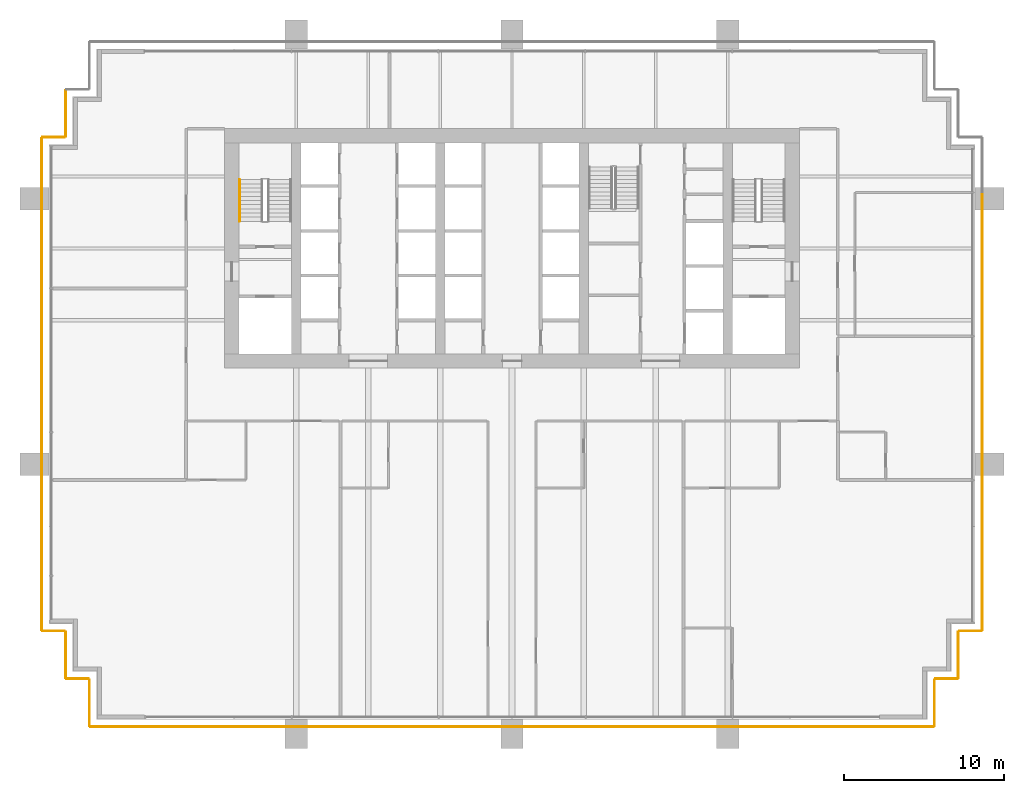
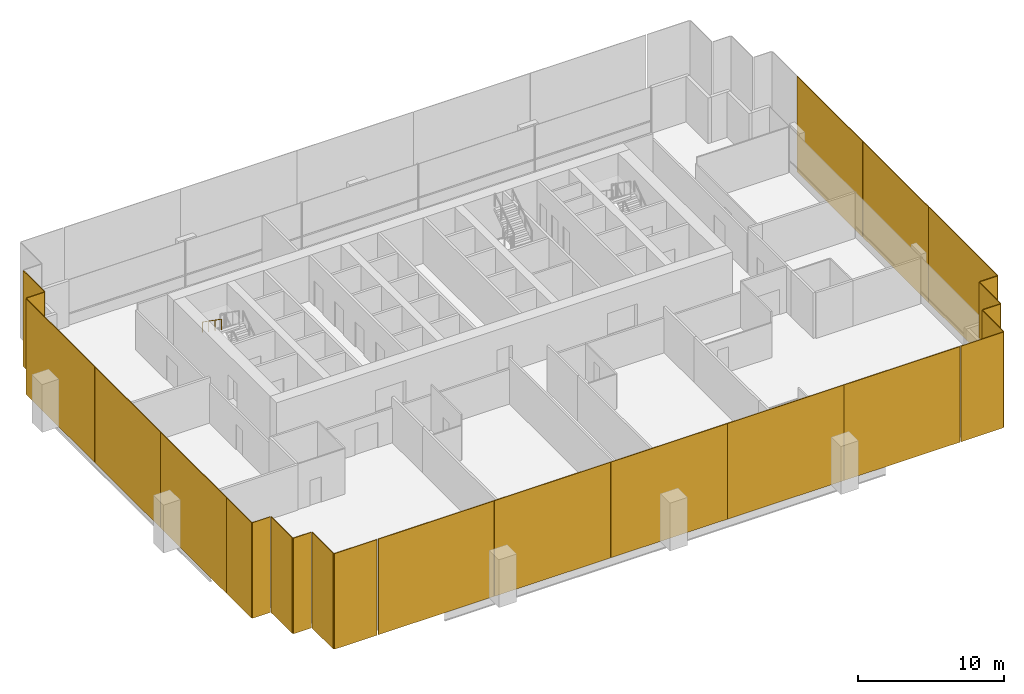
# One storey, part 14 of 16: 24 coverings, 1 railing.
"""IFC4 building model written with IfcOpenShell, lengths in metres."""

from ifc_helpers import new_model, si_unit, direction, frame, origin, origin_2d, place, context, subcontext, project, spatial, rectangle, extrude, material, layer, layer_set, type_object, element, save


model = new_model("IFC4")

# Units and contexts
model_context = context("Model", 3, precision=1e-05, world=origin(), true_north=direction((0.0, 1.0)))
body_context = subcontext(model_context, "Body", "Model", "MODEL_VIEW")
ifc_project = project(units=[si_unit("LENGTHUNIT", "METRE"), si_unit("AREAUNIT", "SQUARE_METRE"), si_unit("VOLUMEUNIT", "CUBIC_METRE"), si_unit("PLANEANGLEUNIT", "RADIAN"), si_unit("MASSUNIT", "GRAM", prefix="KILO")], contexts=[model_context])

# Site, building, storey
site_placement = place(None, origin())
site = spatial("IfcSite", under=ifc_project, at=site_placement, CompositionType="ELEMENT")
building_placement = place(site_placement, origin())
building = spatial("IfcBuilding", under=site, at=building_placement, Name="Rattan Terrace Tower", CompositionType="ELEMENT")
storey_placement = place(building_placement, frame((0.0, 0.0, 150.10009765625)))
storey = spatial("IfcBuildingStorey", under=building, at=storey_placement, Name="L34", CompositionType="ELEMENT", Elevation=150.10009765625)

# Railing
ifc_material_1 = material(Name="Powder-coated steel handrail", Category="steel")
railing_type = type_object("IfcRailingType", Name="Core stair handrail", PredefinedType="HANDRAIL", material=ifc_material_1)
railing_placement = place(storey_placement, frame((-17.050048828125, 4.300048828125, 2.181640625)))
element("IfcRailing", 1, at=railing_placement, inside=storey, type_object=railing_type, Name="L34 S1 stair handrail 2", PredefinedType="HANDRAIL", context=body_context, shape_type="SweptSolid", body=[
    extrude(rectangle(XDim=0.048095703125, YDim=0.048095703125, at=origin_2d()), frame((0.0, 0.0, 0.8759765625), z_axis=(0.0, -0.819484887739, 0.573100792852), x_axis=(1.0, 0.0, 0.0)), (0.0, 0.0, 1.0), 3.1728515625),
    extrude(rectangle(XDim=0.0419921875, YDim=0.0419921875, at=origin_2d()), origin(), (0.0, 0.0, 1.0), 0.851806640625),
    extrude(rectangle(XDim=0.0419921875, YDim=0.0419921875, at=origin_2d()), frame((0.0, -0.86669921875, 0.606201171875)), (0.0, 0.0, 1.0), 0.851806640625),
    extrude(rectangle(XDim=0.0419921875, YDim=0.0419921875, at=origin_2d()), frame((0.0, -1.7333984375, 1.212158203125)), (0.0, 0.0, 1.0), 0.851806640625),
    extrude(rectangle(XDim=0.0419921875, YDim=0.0419921875, at=origin_2d()), frame((0.0, -2.60009765625, 1.818359375)), (0.0, 0.0, 1.0), 0.851806640625),
])

# Coverings
ifc_material_2 = material(Name="Perforated terracotta", Category="masonry")
ifc_layer = layer(ifc_material_2, 0.06005859375)
ifc_layer_set = layer_set([ifc_layer], Name="Facade Terracotta Screen Panel")
covering_type = type_object("IfcCoveringType", Name="Facade Terracotta Screen Panel", PredefinedType="CLADDING", material=ifc_layer_set)
covering_1_placement = place(storey_placement, frame((24.72509765625, -29.949951171875, -0.190185546875), z_axis=(0.0, 0.0, 1.0), x_axis=(1.0, 0.0, 0.0)))
element("IfcCovering", 2, at=covering_1_placement, inside=storey, type_object=covering_type, Name="OUTER SKIN panel L34-1", PredefinedType="CLADDING", context=body_context, shape_type="SweptSolid", body=[
    extrude(rectangle(XDim=3.3701171875, YDim=0.06005859375, at=origin_2d()), origin(), (0.0, 0.0, 1.0), 7.97998046875),
])
covering_2_placement = place(storey_placement, frame((26.449951171875, -28.449951171875, -0.190185546875), z_axis=(0.0, 0.0, 1.0), x_axis=(0.0, 1.0, 0.0)))
element("IfcCovering", 3, at=covering_2_placement, inside=storey, type_object=covering_type, Name="OUTER SKIN panel L34-2", PredefinedType="CLADDING", context=body_context, shape_type="SweptSolid", body=[
    extrude(rectangle(XDim=2.919921875, YDim=0.06005859375, at=origin_2d()), origin(), (0.0, 0.0, 1.0), 7.97998046875),
])
covering_3_placement = place(storey_placement, frame((27.199951171875, -26.949951171875, -0.190185546875), z_axis=(0.0, 0.0, 1.0), x_axis=(1.0, 0.0, 0.0)))
element("IfcCovering", 4, at=covering_3_placement, inside=storey, type_object=covering_type, Name="OUTER SKIN panel L34-3", PredefinedType="CLADDING", context=body_context, shape_type="SweptSolid", body=[
    extrude(rectangle(XDim=1.419921875, YDim=0.06005859375, at=origin_2d()), origin(), (0.0, 0.0, 1.0), 7.97998046875),
])
covering_4_placement = place(storey_placement, frame((27.949951171875, -25.449951171875, -0.190185546875), z_axis=(0.0, 0.0, 1.0), x_axis=(0.0, 1.0, 0.0)))
element("IfcCovering", 5, at=covering_4_placement, inside=storey, type_object=covering_type, Name="OUTER SKIN panel L34-4", PredefinedType="CLADDING", context=body_context, shape_type="SweptSolid", body=[
    extrude(rectangle(XDim=2.919921875, YDim=0.06005859375, at=origin_2d()), origin(), (0.0, 0.0, 1.0), 7.97998046875),
])
covering_5_placement = place(storey_placement, frame((28.699951171875, -23.949951171875, -0.190185546875), z_axis=(0.0, 0.0, 1.0), x_axis=(1.0, 0.0, 0.0)))
element("IfcCovering", 6, at=covering_5_placement, inside=storey, type_object=covering_type, Name="OUTER SKIN panel L34-5", PredefinedType="CLADDING", context=body_context, shape_type="SweptSolid", body=[
    extrude(rectangle(XDim=1.419921875, YDim=0.06005859375, at=origin_2d()), origin(), (0.0, 0.0, 1.0), 7.97998046875),
])
covering_6_placement = place(storey_placement, frame((29.449951171875, -19.2099609375, -0.190185546875), z_axis=(0.0, 0.0, 1.0), x_axis=(0.0, 1.0, 0.0)))
element("IfcCovering", 7, at=covering_6_placement, inside=storey, type_object=covering_type, Name="OUTER SKIN panel L34-6", PredefinedType="CLADDING", context=body_context, shape_type="SweptSolid", body=[
    extrude(rectangle(XDim=9.39990234375, YDim=0.06005859375, at=origin_2d()), origin(), (0.0, 0.0, 1.0), 7.97998046875),
])
for number, where, z_axis, x_axis, name in (
    (8, (29.449951171875, -10.0, -0.190185546875), (0.0, 0.0, 1.0), (0.0, 1.0, 0.0), "OUTER SKIN panel L34-7"),
    (9, (29.449951171875, -1.0, -0.190185546875), (0.0, 0.0, 1.0), (0.0, 1.0, 0.0), "OUTER SKIN panel L34-8"),
):
    element("IfcCovering", number, at=place(storey_placement, frame(where, z_axis=z_axis, x_axis=x_axis)), inside=storey, type_object=covering_type, Name=name, PredefinedType="CLADDING", context=body_context, shape_type="SweptSolid", body=[
        extrude(rectangle(XDim=8.97998046875, YDim=0.06005859375, at=origin_2d()), origin(), (0.0, 0.0, 1.0), 7.97998046875),
    ])
covering_7_placement = place(storey_placement, frame((-27.949951171875, 8.449951171875, -0.190185546875), z_axis=(0.0, 0.0, 1.0), x_axis=(0.0, -1.0, 0.0)))
element("IfcCovering", 10, at=covering_7_placement, inside=storey, type_object=covering_type, Name="OUTER SKIN panel L34-23", PredefinedType="CLADDING", context=body_context, shape_type="SweptSolid", body=[
    extrude(rectangle(XDim=2.919921875, YDim=0.06005859375, at=origin_2d()), origin(), (0.0, 0.0, 1.0), 7.97998046875),
])
covering_8_placement = place(storey_placement, frame((-28.699951171875, 6.949951171875, -0.190185546875), z_axis=(0.0, 0.0, 1.0), x_axis=(-1.0, 0.0, 0.0)))
element("IfcCovering", 11, at=covering_8_placement, inside=storey, type_object=covering_type, Name="OUTER SKIN panel L34-24", PredefinedType="CLADDING", context=body_context, shape_type="SweptSolid", body=[
    extrude(rectangle(XDim=1.419921875, YDim=0.06005859375, at=origin_2d()), origin(), (0.0, 0.0, 1.0), 7.97998046875),
])
covering_9_placement = place(storey_placement, frame((-29.449951171875, 2.2099609375, -0.190185546875), z_axis=(0.0, 0.0, 1.0), x_axis=(0.0, -1.0, 0.0)))
element("IfcCovering", 12, at=covering_9_placement, inside=storey, type_object=covering_type, Name="OUTER SKIN panel L34-25", PredefinedType="CLADDING", context=body_context, shape_type="SweptSolid", body=[
    extrude(rectangle(XDim=9.39990234375, YDim=0.06005859375, at=origin_2d()), origin(), (0.0, 0.0, 1.0), 7.97998046875),
])
for number, where, z_axis, x_axis, name in (
    (13, (-29.449951171875, -7.0, -0.190185546875), (0.0, 0.0, 1.0), (0.0, -1.0, 0.0), "OUTER SKIN panel L34-26"),
    (14, (-29.449951171875, -16.0, -0.190185546875), (0.0, 0.0, 1.0), (0.0, -1.0, 0.0), "OUTER SKIN panel L34-27"),
):
    element("IfcCovering", number, at=place(storey_placement, frame(where, z_axis=z_axis, x_axis=x_axis)), inside=storey, type_object=covering_type, Name=name, PredefinedType="CLADDING", context=body_context, shape_type="SweptSolid", body=[
        extrude(rectangle(XDim=8.97998046875, YDim=0.06005859375, at=origin_2d()), origin(), (0.0, 0.0, 1.0), 7.97998046875),
    ])
covering_10_placement = place(storey_placement, frame((-29.449951171875, -22.2099609375, -0.190185546875), z_axis=(0.0, 0.0, 1.0), x_axis=(0.0, -1.0, 0.0)))
element("IfcCovering", 15, at=covering_10_placement, inside=storey, type_object=covering_type, Name="OUTER SKIN panel L34-28", PredefinedType="CLADDING", context=body_context, shape_type="SweptSolid", body=[
    extrude(rectangle(XDim=3.39990234375, YDim=0.06005859375, at=origin_2d()), origin(), (0.0, 0.0, 1.0), 7.97998046875),
])
covering_11_placement = place(storey_placement, frame((-28.699951171875, -23.949951171875, -0.190185546875), z_axis=(0.0, 0.0, 1.0), x_axis=(1.0, 0.0, 0.0)))
element("IfcCovering", 16, at=covering_11_placement, inside=storey, type_object=covering_type, Name="OUTER SKIN panel L34-29", PredefinedType="CLADDING", context=body_context, shape_type="SweptSolid", body=[
    extrude(rectangle(XDim=1.419921875, YDim=0.06005859375, at=origin_2d()), origin(), (0.0, 0.0, 1.0), 7.97998046875),
])
covering_12_placement = place(storey_placement, frame((-27.949951171875, -25.449951171875, -0.190185546875), z_axis=(0.0, 0.0, 1.0), x_axis=(0.0, -1.0, 0.0)))
element("IfcCovering", 17, at=covering_12_placement, inside=storey, type_object=covering_type, Name="OUTER SKIN panel L34-30", PredefinedType="CLADDING", context=body_context, shape_type="SweptSolid", body=[
    extrude(rectangle(XDim=2.919921875, YDim=0.06005859375, at=origin_2d()), origin(), (0.0, 0.0, 1.0), 7.97998046875),
])
covering_13_placement = place(storey_placement, frame((-27.199951171875, -26.949951171875, -0.190185546875), z_axis=(0.0, 0.0, 1.0), x_axis=(1.0, 0.0, 0.0)))
element("IfcCovering", 18, at=covering_13_placement, inside=storey, type_object=covering_type, Name="OUTER SKIN panel L34-31", PredefinedType="CLADDING", context=body_context, shape_type="SweptSolid", body=[
    extrude(rectangle(XDim=1.419921875, YDim=0.06005859375, at=origin_2d()), origin(), (0.0, 0.0, 1.0), 7.97998046875),
])
covering_14_placement = place(storey_placement, frame((-26.449951171875, -28.449951171875, -0.190185546875), z_axis=(0.0, 0.0, 1.0), x_axis=(0.0, -1.0, 0.0)))
element("IfcCovering", 19, at=covering_14_placement, inside=storey, type_object=covering_type, Name="OUTER SKIN panel L34-32", PredefinedType="CLADDING", context=body_context, shape_type="SweptSolid", body=[
    extrude(rectangle(XDim=2.919921875, YDim=0.06005859375, at=origin_2d()), origin(), (0.0, 0.0, 1.0), 7.97998046875),
])
covering_15_placement = place(storey_placement, frame((-24.72509765625, -29.949951171875, -0.190185546875), z_axis=(0.0, 0.0, 1.0), x_axis=(1.0, 0.0, 0.0)))
element("IfcCovering", 20, at=covering_15_placement, inside=storey, type_object=covering_type, Name="OUTER SKIN panel L34-33", PredefinedType="CLADDING", context=body_context, shape_type="SweptSolid", body=[
    extrude(rectangle(XDim=3.3701171875, YDim=0.06005859375, at=origin_2d()), origin(), (0.0, 0.0, 1.0), 7.97998046875),
])
covering_16_placement = place(storey_placement, frame((-18.384521484375, -29.949951171875, -0.190185546875), z_axis=(0.0, 0.0, 1.0), x_axis=(1.0, 0.0, 0.0)))
element("IfcCovering", 21, at=covering_16_placement, inside=storey, type_object=covering_type, Name="OUTER SKIN panel L34-34", PredefinedType="CLADDING", context=body_context, shape_type="SweptSolid", body=[
    extrude(rectangle(XDim=9.15087890625, YDim=0.06005859375, at=origin_2d()), origin(), (0.0, 0.0, 1.0), 7.97998046875),
])
for number, where, z_axis, x_axis, name in (
    (22, (-9.198486328125, -29.949951171875, -0.190185546875), (0.0, 0.0, 1.0), (1.0, 0.0, 0.0), "OUTER SKIN panel L34-35"),
    (23, (0.00244140625, -29.949951171875, -0.190185546875), (0.0, 0.0, 1.0), (1.0, 0.0, 0.0), "OUTER SKIN panel L34-36"),
    (24, (9.20361328125, -29.949951171875, -0.190185546875), (0.0, 0.0, 1.0), (1.0, 0.0, 0.0), "OUTER SKIN panel L34-37"),
):
    element("IfcCovering", number, at=place(storey_placement, frame(where, z_axis=z_axis, x_axis=x_axis)), inside=storey, type_object=covering_type, Name=name, PredefinedType="CLADDING", context=body_context, shape_type="SweptSolid", body=[
        extrude(rectangle(XDim=9.180908203125, YDim=0.06005859375, at=origin_2d()), origin(), (0.0, 0.0, 1.0), 7.97998046875),
    ])
covering_17_placement = place(storey_placement, frame((18.386962890625, -29.949951171875, -0.190185546875), z_axis=(0.0, 0.0, 1.0), x_axis=(1.0, 0.0, 0.0)))
element("IfcCovering", 25, at=covering_17_placement, inside=storey, type_object=covering_type, Name="OUTER SKIN panel L34-38", PredefinedType="CLADDING", context=body_context, shape_type="SweptSolid", body=[
    extrude(rectangle(XDim=9.14599609375, YDim=0.06005859375, at=origin_2d()), origin(), (0.0, 0.0, 1.0), 7.97998046875),
])

save(model, "model.ifc")
